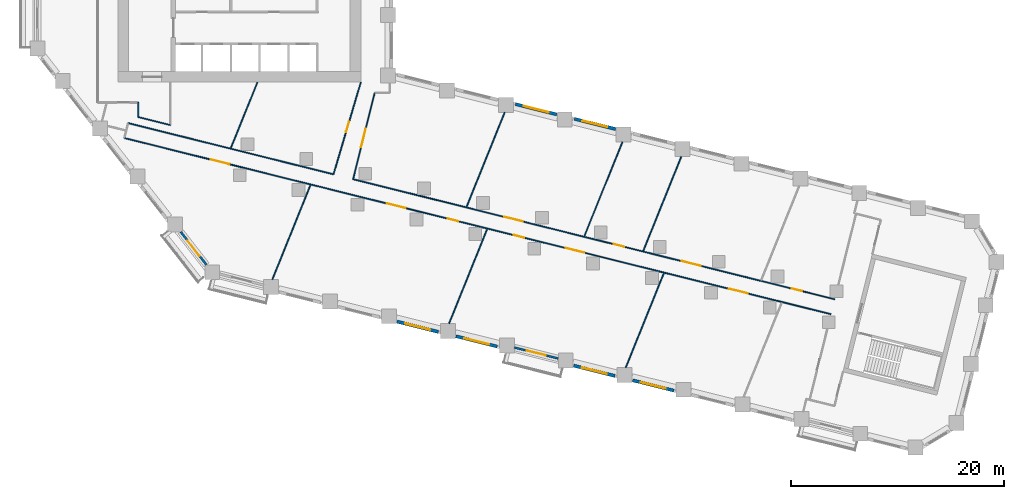
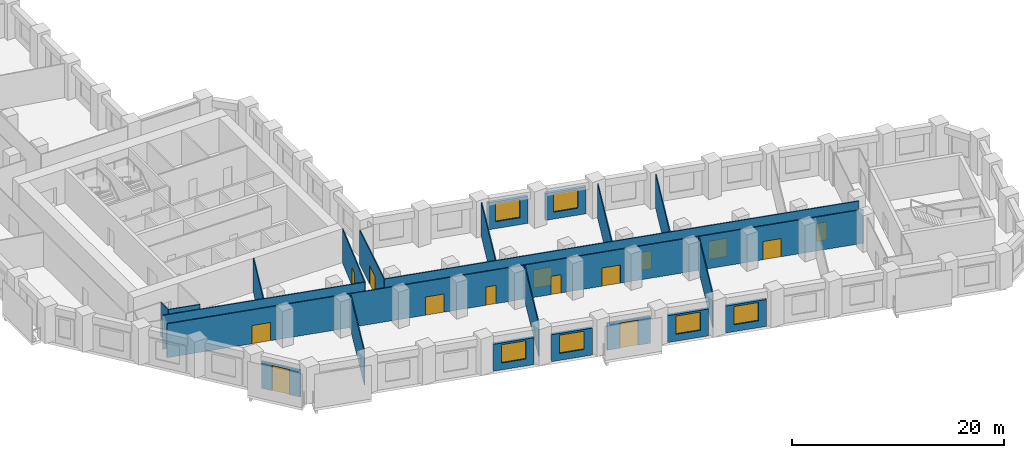
# One storey, part 3 of 11: 22 walls, 14 doors, 6 windows, 20 openings.
"""IFC4 building model written with IfcOpenShell, lengths in metres."""

from ifc_helpers import new_model, si_unit, direction, frame, frame_2d, origin, place, context, subcontext, project, spatial, rectangle, extrude, material, layer, layer_set, type_object, element, fill, save


model = new_model("IFC4")

# Units and contexts
model_context = context("Model", 3, precision=1e-05, world=origin(), true_north=direction((0.0, 1.0)))
body_context = subcontext(model_context, "Body", "Model", "MODEL_VIEW")
ifc_project = project(units=[si_unit("LENGTHUNIT", "METRE"), si_unit("AREAUNIT", "SQUARE_METRE"), si_unit("VOLUMEUNIT", "CUBIC_METRE"), si_unit("PLANEANGLEUNIT", "RADIAN"), si_unit("MASSUNIT", "GRAM", prefix="KILO")], contexts=[model_context])

# Site, building, storey
site_placement = place(None, origin())
site = spatial("IfcSite", under=ifc_project, at=site_placement, CompositionType="ELEMENT")
building_placement = place(site_placement, origin())
building = spatial("IfcBuilding", under=site, at=building_placement, Name="Meshkara Civic Tower", CompositionType="ELEMENT")
storey_placement = place(building_placement, frame((0.0, 0.0, 37.199951171875)))
storey = spatial("IfcBuildingStorey", under=building, at=storey_placement, Name="L07", CompositionType="ELEMENT", Elevation=37.199951171875)

# Wall, openings, doors
ifc_material_1 = material(Name="Corridor wall 100")
ifc_layer_1 = layer(ifc_material_1, 0.10009765625)
ifc_layer_set_1 = layer_set([ifc_layer_1], Name="Corridor wall 100")
wall_type_1 = type_object("IfcWallType", Name="Corridor wall 100", PredefinedType="PARTITIONING", material=ifc_layer_set_1)
wall_1_placement = place(storey_placement, frame((8.593994140625, 8.862060546875, 0.0), z_axis=(0.0, 0.0, 1.0), x_axis=(0.970293746648, -0.241929835316, 0.0)))
wall_1 = element("IfcWall", 1, at=wall_1_placement, inside=storey, type_object=wall_type_1, Name="L07-W006", PredefinedType="PARTITIONING", context=body_context, shape_type="SweptSolid", body=[
    extrude(rectangle(XDim=68.375244140625, YDim=0.10009765625, at=frame_2d((34.1875, 0.0))), origin(), (0.0, 0.0, 1.0), 3.900146484375),
])
opening_1_placement = place(wall_1_placement, frame((37.7080078125, 0.0, 0.0)))
opening_1 = element("IfcOpeningElement", 2, at=opening_1_placement, cuts=wall_1, Name="Opening L07-D003", PredefinedType="OPENING", context=body_context, shape_type="SweptSolid", body=[
    extrude(rectangle(XDim=1.0, YDim=2.10009765625, at=frame_2d((0.5, 1.050048828125))), frame((0.0, 0.06005859375, 0.0), z_axis=(0.0, -1.0, 0.0), x_axis=(1.0, 0.0, 0.0)), (0.0, 0.0, 1.0), 0.1201171875),
])
opening_2_placement = place(wall_1_placement, frame((42.7080078125, 0.0, 0.0)))
opening_2 = element("IfcOpeningElement", 3, at=opening_2_placement, cuts=wall_1, Name="Opening L07-D004", PredefinedType="OPENING", context=body_context, shape_type="SweptSolid", body=[
    extrude(rectangle(XDim=1.800048828125, YDim=2.10009765625, at=frame_2d((0.89990234375, 1.050048828125))), frame((0.0, 0.06005859375, 0.0), z_axis=(0.0, -1.0, 0.0), x_axis=(1.0, 0.0, 0.0)), (0.0, 0.0, 1.0), 0.1201171875),
])
opening_3_placement = place(wall_1_placement, frame((58.508056640625, 0.0, 0.0)))
opening_3 = element("IfcOpeningElement", 4, at=opening_3_placement, cuts=wall_1, Name="Opening L07-D007", PredefinedType="OPENING", context=body_context, shape_type="SweptSolid", body=[
    extrude(rectangle(XDim=1.800048828125, YDim=2.10009765625, at=frame_2d((0.89990234375, 1.050048828125))), frame((0.0, 0.06005859375, 0.0), z_axis=(0.0, -1.0, 0.0), x_axis=(1.0, 0.0, 0.0)), (0.0, 0.0, 1.0), 0.1201171875),
])
opening_4_placement = place(wall_1_placement, frame((25.407958984375, 0.0, 0.0)))
opening_4 = element("IfcOpeningElement", 5, at=opening_4_placement, cuts=wall_1, Name="Opening L07-D010", PredefinedType="OPENING", context=body_context, shape_type="SweptSolid", body=[
    extrude(rectangle(XDim=1.800048828125, YDim=2.10009765625, at=frame_2d((0.89990234375, 1.050048828125))), frame((0.0, 0.06005859375, 0.0), z_axis=(0.0, -1.0, 0.0), x_axis=(1.0, 0.0, 0.0)), (0.0, 0.0, 1.0), 0.1201171875),
])
opening_5_placement = place(wall_1_placement, frame((31.30810546875, 0.0, 0.0)))
opening_5 = element("IfcOpeningElement", 6, at=opening_5_placement, cuts=wall_1, Name="Opening L07-D011", PredefinedType="OPENING", context=body_context, shape_type="SweptSolid", body=[
    extrude(rectangle(XDim=1.0, YDim=2.10009765625, at=frame_2d((0.5, 1.050048828125))), frame((0.0, 0.06005859375, 0.0), z_axis=(0.0, -1.0, 0.0), x_axis=(1.0, 0.0, 0.0)), (0.0, 0.0, 1.0), 0.1201171875),
])
opening_6_placement = place(wall_1_placement, frame((8.3798828125, 0.0, 0.0)))
opening_6 = element("IfcOpeningElement", 7, at=opening_6_placement, cuts=wall_1, Name="Opening L07-D013", PredefinedType="OPENING", context=body_context, shape_type="SweptSolid", body=[
    extrude(rectangle(XDim=1.800048828125, YDim=2.10009765625, at=frame_2d((0.89990234375, 1.050048828125))), frame((0.0, 0.06005859375, 0.0), z_axis=(0.0, -1.0, 0.0), x_axis=(1.0, 0.0, 0.0)), (0.0, 0.0, 1.0), 0.1201171875),
])
ifc_material_2 = material(Name="Door 1000 x 2100")
door_type_1 = type_object("IfcDoorType", Name="Door 1000 x 2100", OperationType="SINGLE_SWING_LEFT", PredefinedType="DOOR", material=ifc_material_2)
door_1_placement = place(opening_1_placement, origin())
door_1 = element("IfcDoor", 8, at=door_1_placement, inside=storey, type_object=door_type_1, Name="L07-D003", OperationType="SINGLE_SWING_RIGHT", OverallHeight=2.10009765625, OverallWidth=1.0, PredefinedType="DOOR", context=body_context, shape_type="SweptSolid", body=[
    extrude(rectangle(XDim=1.0, YDim=2.10009765625, at=frame_2d((0.5, 1.050048828125))), frame((0.0, 0.02490234375, 0.0), z_axis=(0.0, -1.0, 0.0), x_axis=(1.0, 0.0, 0.0)), (0.0, 0.0, 1.0), 0.050048828125),
])
fill(opening_1, door_1)
door_2_placement = place(opening_5_placement, origin())
door_2 = element("IfcDoor", 9, at=door_2_placement, inside=storey, type_object=door_type_1, Name="L07-D011", OperationType="SINGLE_SWING_LEFT", OverallHeight=2.10009765625, OverallWidth=1.0, PredefinedType="DOOR", context=body_context, shape_type="SweptSolid", body=[
    extrude(rectangle(XDim=1.0, YDim=2.10009765625, at=frame_2d((0.5, 1.050048828125))), frame((0.0, 0.02490234375, 0.0), z_axis=(0.0, -1.0, 0.0), x_axis=(1.0, 0.0, 0.0)), (0.0, 0.0, 1.0), 0.050048828125),
])
fill(opening_5, door_2)
ifc_material_3 = material(Name="Door pair 1800 x 2100")
door_type_2 = type_object("IfcDoorType", Name="Door pair 1800 x 2100", OperationType="SINGLE_SWING_LEFT", PredefinedType="DOOR", material=ifc_material_3)
door_3_placement = place(opening_2_placement, origin())
door_3 = element("IfcDoor", 10, at=door_3_placement, inside=storey, type_object=door_type_2, Name="L07-D004", OperationType="DOUBLE_DOOR_SINGLE_SWING", OverallHeight=2.10009765625, OverallWidth=1.800048828125, PredefinedType="DOOR", context=body_context, shape_type="SweptSolid", body=[
    extrude(rectangle(XDim=1.800048828125, YDim=2.10009765625, at=frame_2d((0.89990234375, 1.050048828125))), frame((0.0, 0.02490234375, 0.0), z_axis=(0.0, -1.0, 0.0), x_axis=(1.0, 0.0, 0.0)), (0.0, 0.0, 1.0), 0.050048828125),
])
fill(opening_2, door_3)
door_4_placement = place(opening_3_placement, origin())
door_4 = element("IfcDoor", 11, at=door_4_placement, inside=storey, type_object=door_type_2, Name="L07-D007", OperationType="DOUBLE_DOOR_SINGLE_SWING", OverallHeight=2.10009765625, OverallWidth=1.800048828125, PredefinedType="DOOR", context=body_context, shape_type="SweptSolid", body=[
    extrude(rectangle(XDim=1.800048828125, YDim=2.10009765625, at=frame_2d((0.89990234375, 1.050048828125))), frame((0.0, 0.02490234375, 0.0), z_axis=(0.0, -1.0, 0.0), x_axis=(1.0, 0.0, 0.0)), (0.0, 0.0, 1.0), 0.050048828125),
])
fill(opening_3, door_4)
door_5_placement = place(opening_4_placement, origin())
door_5 = element("IfcDoor", 12, at=door_5_placement, inside=storey, type_object=door_type_2, Name="L07-D010", OperationType="DOUBLE_DOOR_SINGLE_SWING", OverallHeight=2.10009765625, OverallWidth=1.800048828125, PredefinedType="DOOR", context=body_context, shape_type="SweptSolid", body=[
    extrude(rectangle(XDim=1.800048828125, YDim=2.10009765625, at=frame_2d((0.89990234375, 1.050048828125))), frame((0.0, 0.02490234375, 0.0), z_axis=(0.0, -1.0, 0.0), x_axis=(1.0, 0.0, 0.0)), (0.0, 0.0, 1.0), 0.050048828125),
])
fill(opening_4, door_5)
door_6_placement = place(opening_6_placement, origin())
door_6 = element("IfcDoor", 13, at=door_6_placement, inside=storey, type_object=door_type_2, Name="L07-D013", OperationType="DOUBLE_DOOR_SINGLE_SWING", OverallHeight=2.10009765625, OverallWidth=1.800048828125, PredefinedType="DOOR", context=body_context, shape_type="SweptSolid", body=[
    extrude(rectangle(XDim=1.800048828125, YDim=2.10009765625, at=frame_2d((0.89990234375, 1.050048828125))), frame((0.0, 0.02490234375, 0.0), z_axis=(0.0, -1.0, 0.0), x_axis=(1.0, 0.0, 0.0)), (0.0, 0.0, 1.0), 0.050048828125),
])
fill(opening_6, door_6)

# Walls
wall_2_placement = place(storey_placement, frame((8.944091796875, 10.263916015625, 0.0), z_axis=(0.0, 0.0, 1.0), x_axis=(0.970300504447, -0.241902730595, 0.0)))
element("IfcWall", 14, at=wall_2_placement, inside=storey, type_object=wall_type_1, Name="L07-W007", PredefinedType="PARTITIONING", context=body_context, shape_type="SweptSolid", body=[
    extrude(rectangle(XDim=19.879150390625, YDim=0.10009765625, at=frame_2d((9.939453125, 0.0))), origin(), (0.0, 0.0, 1.0), 3.900146484375),
])
wall_3_placement = place(storey_placement, frame((9.89990234375, 10.825927734375, 0.0), z_axis=(0.0, 0.0, 1.0), x_axis=(0.970290953223, -0.241941038466, 0.0)))
element("IfcWall", 15, at=wall_3_placement, inside=storey, type_object=wall_type_1, Name="L07-W009", PredefinedType="PARTITIONING", context=body_context, shape_type="SweptSolid", body=[
    extrude(rectangle(XDim=3.091796875, YDim=0.10009765625, at=frame_2d((1.5458984375, 0.0))), origin(), (0.0, 0.0, 1.0), 3.900146484375),
])
wall_4_placement = place(storey_placement, frame((9.89990234375, 12.199951171875, 0.0), z_axis=(0.0, 0.0, 1.0), x_axis=(0.0, -1.0, 0.0)))
element("IfcWall", 16, at=wall_4_placement, inside=storey, type_object=wall_type_1, Name="L07-W010", PredefinedType="PARTITIONING", context=body_context, shape_type="SweptSolid", body=[
    extrude(rectangle(XDim=1.3740234375, YDim=0.10009765625, at=frame_2d((0.68701171875, 0.0))), origin(), (0.0, 0.0, 1.0), 3.900146484375),
])

# Wall, openings, doors
wall_5_placement = place(storey_placement, frame((30.075927734375, 4.9951171875, 0.0), z_axis=(0.0, 0.0, 1.0), x_axis=(0.97029302478, -0.24193273045, 0.0)))
wall_5 = element("IfcWall", 17, at=wall_5_placement, inside=storey, type_object=wall_type_1, Name="L07-W020", PredefinedType="PARTITIONING", context=body_context, shape_type="SweptSolid", body=[
    extrude(rectangle(XDim=46.596435546875, YDim=0.10009765625, at=frame_2d((23.29833984375, 0.0))), origin(), (0.0, 0.0, 1.0), 3.900146484375),
])
opening_7_placement = place(wall_5_placement, frame((25.22900390625, 0.0, 0.0)))
opening_7 = element("IfcOpeningElement", 18, at=opening_7_placement, cuts=wall_5, Name="Opening L07-D005", PredefinedType="OPENING", context=body_context, shape_type="SweptSolid", body=[
    extrude(rectangle(XDim=1.0, YDim=2.10009765625, at=frame_2d((0.5, 1.050048828125))), frame((0.0, 0.06005859375, 0.0), z_axis=(0.0, -1.0, 0.0), x_axis=(1.0, 0.0, 0.0)), (0.0, 0.0, 1.0), 0.1201171875),
])
opening_8_placement = place(wall_5_placement, frame((31.827880859375, 0.0, 0.0)))
opening_8 = element("IfcOpeningElement", 19, at=opening_8_placement, cuts=wall_5, Name="Opening L07-D006", PredefinedType="OPENING", context=body_context, shape_type="SweptSolid", body=[
    extrude(rectangle(XDim=1.800048828125, YDim=2.10009765625, at=frame_2d((0.89990234375, 1.050048828125))), frame((0.0, 0.06005859375, 0.0), z_axis=(0.0, -1.0, 0.0), x_axis=(1.0, 0.0, 0.0)), (0.0, 0.0, 1.0), 0.1201171875),
])
opening_9_placement = place(wall_5_placement, frame((42.428955078125, 0.0, 0.0)))
opening_9 = element("IfcOpeningElement", 20, at=opening_9_placement, cuts=wall_5, Name="Opening L07-D008", PredefinedType="OPENING", context=body_context, shape_type="SweptSolid", body=[
    extrude(rectangle(XDim=1.0, YDim=2.10009765625, at=frame_2d((0.5, 1.050048828125))), frame((0.0, 0.06005859375, 0.0), z_axis=(0.0, -1.0, 0.0), x_axis=(1.0, 0.0, 0.0)), (0.0, 0.0, 1.0), 0.1201171875),
])
opening_10_placement = place(wall_5_placement, frame((14.62890625, 0.0, 0.0)))
opening_10 = element("IfcOpeningElement", 21, at=opening_10_placement, cuts=wall_5, Name="Opening L07-D012", PredefinedType="OPENING", context=body_context, shape_type="SweptSolid", body=[
    extrude(rectangle(XDim=1.800048828125, YDim=2.10009765625, at=frame_2d((0.89990234375, 1.050048828125))), frame((0.0, 0.06005859375, 0.0), z_axis=(0.0, -1.0, 0.0), x_axis=(1.0, 0.0, 0.0)), (0.0, 0.0, 1.0), 0.1201171875),
])
door_7_placement = place(opening_7_placement, origin())
door_7 = element("IfcDoor", 22, at=door_7_placement, inside=storey, type_object=door_type_1, Name="L07-D005", OperationType="SINGLE_SWING_RIGHT", OverallHeight=2.10009765625, OverallWidth=1.0, PredefinedType="DOOR", context=body_context, shape_type="SweptSolid", body=[
    extrude(rectangle(XDim=1.0, YDim=2.10009765625, at=frame_2d((0.5, 1.050048828125))), frame((0.0, 0.02490234375, 0.0), z_axis=(0.0, -1.0, 0.0), x_axis=(1.0, 0.0, 0.0)), (0.0, 0.0, 1.0), 0.050048828125),
])
fill(opening_7, door_7)
door_8_placement = place(opening_9_placement, origin())
door_8 = element("IfcDoor", 23, at=door_8_placement, inside=storey, type_object=door_type_1, Name="L07-D008", OperationType="SINGLE_SWING_LEFT", OverallHeight=2.10009765625, OverallWidth=1.0, PredefinedType="DOOR", context=body_context, shape_type="SweptSolid", body=[
    extrude(rectangle(XDim=1.0, YDim=2.10009765625, at=frame_2d((0.5, 1.050048828125))), frame((0.0, 0.02490234375, 0.0), z_axis=(0.0, -1.0, 0.0), x_axis=(1.0, 0.0, 0.0)), (0.0, 0.0, 1.0), 0.050048828125),
])
fill(opening_9, door_8)
door_9_placement = place(opening_8_placement, origin())
door_9 = element("IfcDoor", 24, at=door_9_placement, inside=storey, type_object=door_type_2, Name="L07-D006", OperationType="DOUBLE_DOOR_SINGLE_SWING", OverallHeight=2.10009765625, OverallWidth=1.800048828125, PredefinedType="DOOR", context=body_context, shape_type="SweptSolid", body=[
    extrude(rectangle(XDim=1.800048828125, YDim=2.10009765625, at=frame_2d((0.89990234375, 1.050048828125))), frame((0.0, 0.02490234375, 0.0), z_axis=(0.0, -1.0, 0.0), x_axis=(1.0, 0.0, 0.0)), (0.0, 0.0, 1.0), 0.050048828125),
])
fill(opening_8, door_9)
door_10_placement = place(opening_10_placement, origin())
door_10 = element("IfcDoor", 25, at=door_10_placement, inside=storey, type_object=door_type_2, Name="L07-D012", OperationType="DOUBLE_DOOR_SINGLE_SWING", OverallHeight=2.10009765625, OverallWidth=1.800048828125, PredefinedType="DOOR", context=body_context, shape_type="SweptSolid", body=[
    extrude(rectangle(XDim=1.800048828125, YDim=2.10009765625, at=frame_2d((0.89990234375, 1.050048828125))), frame((0.0, 0.02490234375, 0.0), z_axis=(0.0, -1.0, 0.0), x_axis=(1.0, 0.0, 0.0)), (0.0, 0.0, 1.0), 0.050048828125),
])
fill(opening_10, door_10)

# Wall, opening, door
wall_6_placement = place(storey_placement, frame((30.075927734375, 4.9951171875, 0.0), z_axis=(0.0, 0.0, 1.0), x_axis=(0.241944155572, 0.97029017597, 0.0)))
wall_6 = element("IfcWall", 26, at=wall_6_placement, inside=storey, type_object=wall_type_1, Name="L07-W021", PredefinedType="PARTITIONING", context=body_context, shape_type="SweptSolid", body=[
    extrude(rectangle(XDim=8.353271484375, YDim=0.10009765625, at=frame_2d((4.1767578125, 0.0))), origin(), (0.0, 0.0, 1.0), 3.900146484375),
])
opening_11_placement = place(wall_6_placement, frame((3.080078125, 0.0, 0.0)))
opening_11 = element("IfcOpeningElement", 27, at=opening_11_placement, cuts=wall_6, Name="Opening L07-D015", PredefinedType="OPENING", context=body_context, shape_type="SweptSolid", body=[
    extrude(rectangle(XDim=1.800048828125, YDim=2.10009765625, at=frame_2d((0.89990234375, 1.050048828125))), frame((0.0, 0.06005859375, 0.0), z_axis=(0.0, -1.0, 0.0), x_axis=(1.0, 0.0, 0.0)), (0.0, 0.0, 1.0), 0.1201171875),
])
door_11_placement = place(opening_11_placement, origin())
door_11 = element("IfcDoor", 28, at=door_11_placement, inside=storey, type_object=door_type_2, Name="L07-D015", OperationType="DOUBLE_DOOR_SINGLE_SWING", OverallHeight=2.10009765625, OverallWidth=1.800048828125, PredefinedType="DOOR", context=body_context, shape_type="SweptSolid", body=[
    extrude(rectangle(XDim=1.800048828125, YDim=2.10009765625, at=frame_2d((0.89990234375, 1.050048828125))), frame((0.0, 0.02490234375, 0.0), z_axis=(0.0, -1.0, 0.0), x_axis=(1.0, 0.0, 0.0)), (0.0, 0.0, 1.0), 0.050048828125),
])
fill(opening_11, door_11)

wall_7_placement = place(storey_placement, frame((30.800048828125, 14.10009765625, 0.0), z_axis=(0.0, 0.0, 1.0), x_axis=(-0.284664373847, -0.95862724469, 0.0)))
wall_7 = element("IfcWall", 29, at=wall_7_placement, inside=storey, type_object=wall_type_1, Name="L07-W022", PredefinedType="PARTITIONING", context=body_context, shape_type="SweptSolid", body=[
    extrude(rectangle(XDim=9.01806640625, YDim=0.10009765625, at=frame_2d((4.509033203125, 0.0))), origin(), (0.0, 0.0, 1.0), 3.900146484375),
])
opening_12_placement = place(wall_7_placement, frame((3.8798828125, 0.0, 0.0)))
opening_12 = element("IfcOpeningElement", 30, at=opening_12_placement, cuts=wall_7, Name="Opening L07-D014", PredefinedType="OPENING", context=body_context, shape_type="SweptSolid", body=[
    extrude(rectangle(XDim=1.0, YDim=2.10009765625, at=frame_2d((0.5, 1.050048828125))), frame((0.0, 0.06005859375, 0.0), z_axis=(0.0, -1.0, 0.0), x_axis=(1.0, 0.0, 0.0)), (0.0, 0.0, 1.0), 0.1201171875),
])
door_12_placement = place(opening_12_placement, origin())
door_12 = element("IfcDoor", 31, at=door_12_placement, inside=storey, type_object=door_type_1, Name="L07-D014", OperationType="SINGLE_SWING_RIGHT", OverallHeight=2.10009765625, OverallWidth=1.0, PredefinedType="DOOR", context=body_context, shape_type="SweptSolid", body=[
    extrude(rectangle(XDim=1.0, YDim=2.10009765625, at=frame_2d((0.5, 1.050048828125))), frame((0.0, 0.02490234375, 0.0), z_axis=(0.0, -1.0, 0.0), x_axis=(1.0, 0.0, 0.0)), (0.0, 0.0, 1.0), 0.050048828125),
])
fill(opening_12, door_12)

# Wall, opening, window
ifc_material_4 = material(Name="Insulated infill panel with bronze anodised aluminium cladding", Category="aluminium")
ifc_layer_2 = layer(ifc_material_4, 0.300048828125)
ifc_layer_set_2 = layer_set([ifc_layer_2], Name="EXTERNAL INFILL WALL 300")
wall_type_2 = type_object("IfcWallType", Name="EXTERNAL INFILL WALL 300", PredefinedType="SOLIDWALL", material=ifc_layer_set_2)
wall_8_placement = place(storey_placement, frame((54.721923828125, 9.699951171875, 0.0), z_axis=(0.0, 0.0, 1.0), x_axis=(-0.970318045095, 0.24183236211, 0.0)))
wall_8 = element("IfcWall", 32, at=wall_8_placement, inside=storey, type_object=wall_type_2, Name="External wall", PredefinedType="SOLIDWALL", context=body_context, shape_type="SweptSolid", body=[
    extrude(rectangle(XDim=4.0029296875, YDim=0.300048828125, at=frame_2d((2.00146484375, 0.0))), origin(), (0.0, 0.0, 1.0), 3.10009765625),
])
opening_13_placement = place(wall_8_placement, frame((0.802001953125, 0.0, 0.800048828125)))
opening_13 = element("IfcOpeningElement", 33, at=opening_13_placement, cuts=wall_8, Name="Opening W7", PredefinedType="OPENING", context=body_context, shape_type="SweptSolid", body=[
    extrude(rectangle(XDim=2.39990234375, YDim=2.10009765625, at=frame_2d((1.199951171875, 1.050048828125))), frame((0.0, 0.159912109375, 0.0), z_axis=(0.0, -1.0, 0.0), x_axis=(1.0, 0.0, 0.0)), (0.0, 0.0, 1.0), 0.320068359375),
])
ifc_material_5 = material(Name="Tinted double glazing", Category="glass")
window_type = type_object("IfcWindowType", Name="WINDOW 2400x2100", PartitioningType="DOUBLE_PANEL_VERTICAL", PredefinedType="WINDOW", material=ifc_material_5)
window_1_placement = place(opening_13_placement, origin())
window_1 = element("IfcWindow", 34, at=window_1_placement, inside=storey, type_object=window_type, Name="Window", OverallHeight=2.10009765625, OverallWidth=2.39990234375, PartitioningType="DOUBLE_PANEL_VERTICAL", PredefinedType="WINDOW", context=body_context, shape_type="SweptSolid", body=[
    extrude(rectangle(XDim=2.39990234375, YDim=2.10009765625, at=frame_2d((1.199951171875, 1.050048828125))), frame((0.0, 0.030029296875, 0.0), z_axis=(0.0, -1.0, 0.0), x_axis=(1.0, 0.0, 0.0)), (0.0, 0.0, 1.0), 0.06005859375),
])
fill(opening_13, window_1)

wall_9_placement = place(storey_placement, frame((49.19091796875, 11.0791015625, 0.0), z_axis=(0.0, 0.0, 1.0), x_axis=(-0.970318045095, 0.24183236211, 0.0)))
wall_9 = element("IfcWall", 35, at=wall_9_placement, inside=storey, type_object=wall_type_2, Name="External wall", PredefinedType="SOLIDWALL", context=body_context, shape_type="SweptSolid", body=[
    extrude(rectangle(XDim=4.0029296875, YDim=0.300048828125, at=frame_2d((2.00146484375, 0.0))), origin(), (0.0, 0.0, 1.0), 3.10009765625),
])
opening_14_placement = place(wall_9_placement, frame((0.802001953125, 0.0, 0.800048828125)))
opening_14 = element("IfcOpeningElement", 36, at=opening_14_placement, cuts=wall_9, Name="Opening W7", PredefinedType="OPENING", context=body_context, shape_type="SweptSolid", body=[
    extrude(rectangle(XDim=2.39990234375, YDim=2.10009765625, at=frame_2d((1.199951171875, 1.050048828125))), frame((0.0, 0.159912109375, 0.0), z_axis=(0.0, -1.0, 0.0), x_axis=(1.0, 0.0, 0.0)), (0.0, 0.0, 1.0), 0.320068359375),
])
window_2_placement = place(opening_14_placement, origin())
window_2 = element("IfcWindow", 37, at=window_2_placement, inside=storey, type_object=window_type, Name="Window", OverallHeight=2.10009765625, OverallWidth=2.39990234375, PartitioningType="DOUBLE_PANEL_VERTICAL", PredefinedType="WINDOW", context=body_context, shape_type="SweptSolid", body=[
    extrude(rectangle(XDim=2.39990234375, YDim=2.10009765625, at=frame_2d((1.199951171875, 1.050048828125))), frame((0.0, 0.030029296875, 0.0), z_axis=(0.0, -1.0, 0.0), x_axis=(1.0, 0.0, 0.0)), (0.0, 0.0, 1.0), 0.06005859375),
])
fill(opening_14, window_2)

wall_10_placement = place(storey_placement, frame((34.194091796875, -8.37109375, 0.0), z_axis=(0.0, 0.0, 1.0), x_axis=(0.970314477803, -0.241846674911, 0.0)))
wall_10 = element("IfcWall", 38, at=wall_10_placement, inside=storey, type_object=wall_type_2, Name="External wall", PredefinedType="SOLIDWALL", context=body_context, shape_type="SweptSolid", body=[
    extrude(rectangle(XDim=4.002685546875, YDim=0.300048828125, at=frame_2d((2.00146484375, 0.0))), origin(), (0.0, 0.0, 1.0), 3.10009765625),
])
opening_15_placement = place(wall_10_placement, frame((0.802001953125, 0.0, 0.800048828125)))
opening_15 = element("IfcOpeningElement", 39, at=opening_15_placement, cuts=wall_10, Name="Opening W7", PredefinedType="OPENING", context=body_context, shape_type="SweptSolid", body=[
    extrude(rectangle(XDim=2.39990234375, YDim=2.10009765625, at=frame_2d((1.199951171875, 1.050048828125))), frame((0.0, 0.159912109375, 0.0), z_axis=(0.0, -1.0, 0.0), x_axis=(1.0, 0.0, 0.0)), (0.0, 0.0, 1.0), 0.320068359375),
])
window_3_placement = place(opening_15_placement, origin())
window_3 = element("IfcWindow", 40, at=window_3_placement, inside=storey, type_object=window_type, Name="Window", OverallHeight=2.10009765625, OverallWidth=2.39990234375, PartitioningType="DOUBLE_PANEL_VERTICAL", PredefinedType="WINDOW", context=body_context, shape_type="SweptSolid", body=[
    extrude(rectangle(XDim=2.39990234375, YDim=2.10009765625, at=frame_2d((1.199951171875, 1.050048828125))), frame((0.0, 0.030029296875, 0.0), z_axis=(0.0, -1.0, 0.0), x_axis=(1.0, 0.0, 0.0)), (0.0, 0.0, 1.0), 0.06005859375),
])
fill(opening_15, window_3)

wall_11_placement = place(storey_placement, frame((39.72509765625, -9.75, 0.0), z_axis=(0.0, 0.0, 1.0), x_axis=(0.970314477803, -0.241846674911, 0.0)))
wall_11 = element("IfcWall", 41, at=wall_11_placement, inside=storey, type_object=wall_type_2, Name="External wall", PredefinedType="SOLIDWALL", context=body_context, shape_type="SweptSolid", body=[
    extrude(rectangle(XDim=4.002685546875, YDim=0.300048828125, at=frame_2d((2.00146484375, 0.0))), origin(), (0.0, 0.0, 1.0), 3.10009765625),
])
opening_16_placement = place(wall_11_placement, frame((0.801025390625, 0.0, 0.800048828125)))
opening_16 = element("IfcOpeningElement", 42, at=opening_16_placement, cuts=wall_11, Name="Opening W7", PredefinedType="OPENING", context=body_context, shape_type="SweptSolid", body=[
    extrude(rectangle(XDim=2.39990234375, YDim=2.10009765625, at=frame_2d((1.199951171875, 1.050048828125))), frame((0.0, 0.159912109375, 0.0), z_axis=(0.0, -1.0, 0.0), x_axis=(1.0, 0.0, 0.0)), (0.0, 0.0, 1.0), 0.320068359375),
])
window_4_placement = place(opening_16_placement, origin())
window_4 = element("IfcWindow", 43, at=window_4_placement, inside=storey, type_object=window_type, Name="Window", OverallHeight=2.10009765625, OverallWidth=2.39990234375, PartitioningType="DOUBLE_PANEL_VERTICAL", PredefinedType="WINDOW", context=body_context, shape_type="SweptSolid", body=[
    extrude(rectangle(XDim=2.39990234375, YDim=2.10009765625, at=frame_2d((1.199951171875, 1.050048828125))), frame((0.0, 0.030029296875, 0.0), z_axis=(0.0, -1.0, 0.0), x_axis=(1.0, 0.0, 0.0)), (0.0, 0.0, 1.0), 0.06005859375),
])
fill(opening_16, window_4)

wall_12_placement = place(storey_placement, frame((50.785888671875, -12.508056640625, 0.0), z_axis=(0.0, 0.0, 1.0), x_axis=(0.970318045095, -0.24183236211, 0.0)))
wall_12 = element("IfcWall", 44, at=wall_12_placement, inside=storey, type_object=wall_type_2, Name="External wall", PredefinedType="SOLIDWALL", context=body_context, shape_type="SweptSolid", body=[
    extrude(rectangle(XDim=4.0029296875, YDim=0.300048828125, at=frame_2d((2.00146484375, 0.0))), origin(), (0.0, 0.0, 1.0), 3.10009765625),
])
opening_17_placement = place(wall_12_placement, frame((0.802001953125, 0.0, 0.800048828125)))
opening_17 = element("IfcOpeningElement", 45, at=opening_17_placement, cuts=wall_12, Name="Opening W7", PredefinedType="OPENING", context=body_context, shape_type="SweptSolid", body=[
    extrude(rectangle(XDim=2.39990234375, YDim=2.10009765625, at=frame_2d((1.199951171875, 1.050048828125))), frame((0.0, 0.159912109375, 0.0), z_axis=(0.0, -1.0, 0.0), x_axis=(1.0, 0.0, 0.0)), (0.0, 0.0, 1.0), 0.320068359375),
])
window_5_placement = place(opening_17_placement, origin())
window_5 = element("IfcWindow", 46, at=window_5_placement, inside=storey, type_object=window_type, Name="Window", OverallHeight=2.10009765625, OverallWidth=2.39990234375, PartitioningType="DOUBLE_PANEL_VERTICAL", PredefinedType="WINDOW", context=body_context, shape_type="SweptSolid", body=[
    extrude(rectangle(XDim=2.39990234375, YDim=2.10009765625, at=frame_2d((1.199951171875, 1.050048828125))), frame((0.0, 0.030029296875, 0.0), z_axis=(0.0, -1.0, 0.0), x_axis=(1.0, 0.0, 0.0)), (0.0, 0.0, 1.0), 0.06005859375),
])
fill(opening_17, window_5)

wall_13_placement = place(storey_placement, frame((56.31689453125, -13.886962890625, 0.0), z_axis=(0.0, 0.0, 1.0), x_axis=(0.970318045095, -0.24183236211, 0.0)))
wall_13 = element("IfcWall", 47, at=wall_13_placement, inside=storey, type_object=wall_type_2, Name="External wall", PredefinedType="SOLIDWALL", context=body_context, shape_type="SweptSolid", body=[
    extrude(rectangle(XDim=4.0029296875, YDim=0.300048828125, at=frame_2d((2.00146484375, 0.0))), origin(), (0.0, 0.0, 1.0), 3.10009765625),
])
opening_18_placement = place(wall_13_placement, frame((0.802001953125, 0.0, 0.800048828125)))
opening_18 = element("IfcOpeningElement", 48, at=opening_18_placement, cuts=wall_13, Name="Opening W7", PredefinedType="OPENING", context=body_context, shape_type="SweptSolid", body=[
    extrude(rectangle(XDim=2.39990234375, YDim=2.10009765625, at=frame_2d((1.199951171875, 1.050048828125))), frame((0.0, 0.159912109375, 0.0), z_axis=(0.0, -1.0, 0.0), x_axis=(1.0, 0.0, 0.0)), (0.0, 0.0, 1.0), 0.320068359375),
])
window_6_placement = place(opening_18_placement, origin())
window_6 = element("IfcWindow", 49, at=window_6_placement, inside=storey, type_object=window_type, Name="Window", OverallHeight=2.10009765625, OverallWidth=2.39990234375, PartitioningType="DOUBLE_PANEL_VERTICAL", PredefinedType="WINDOW", context=body_context, shape_type="SweptSolid", body=[
    extrude(rectangle(XDim=2.39990234375, YDim=2.10009765625, at=frame_2d((1.199951171875, 1.050048828125))), frame((0.0, 0.030029296875, 0.0), z_axis=(0.0, -1.0, 0.0), x_axis=(1.0, 0.0, 0.0)), (0.0, 0.0, 1.0), 0.06005859375),
])
fill(opening_18, window_6)

# Wall, opening, door
ifc_material_6 = material(Name="Insulated infill panel with bronze anodised aluminium cladding", Category="aluminium")
ifc_layer_3 = layer(ifc_material_6, 0.199951171875)
ifc_layer_set_3 = layer_set([ifc_layer_3], Name="LOGGIA BACK WALL 200")
wall_type_3 = type_object("IfcWallType", Name="LOGGIA BACK WALL 200", PredefinedType="SOLIDWALL", material=ifc_layer_set_3)
wall_14_placement = place(storey_placement, frame((13.888916015625, 0.053955078125, 0.0), z_axis=(0.0, 0.0, 1.0), x_axis=(0.615546225508, -0.788100783062, 0.0)))
wall_14 = element("IfcWall", 50, at=wall_14_placement, inside=storey, type_object=wall_type_3, Name="Loggia wall", PredefinedType="SOLIDWALL", context=body_context, shape_type="SweptSolid", body=[
    extrude(rectangle(XDim=3.92333984375, YDim=0.199951171875, at=frame_2d((1.961669921875, 0.0))), origin(), (0.0, 0.0, 1.0), 3.10009765625),
])
opening_19_placement = place(wall_14_placement, frame((1.06103515625, 0.0, 0.0)))
opening_19 = element("IfcOpeningElement", 51, at=opening_19_placement, cuts=wall_14, Name="Opening L07-L003", PredefinedType="OPENING", context=body_context, shape_type="SweptSolid", body=[
    extrude(rectangle(XDim=1.800048828125, YDim=2.89990234375, at=frame_2d((0.89990234375, 1.449951171875))), frame((0.0, 0.10986328125, 0.0), z_axis=(0.0, -1.0, 0.0), x_axis=(1.0, 0.0, 0.0)), (0.0, 0.0, 1.0), 0.219970703125),
])
ifc_material_7 = material(Name="Tinted double glazing", Category="glass")
door_type_3 = type_object("IfcDoorType", Name="LOGGIA DOOR 1800x2900", OperationType="DOUBLE_DOOR_SINGLE_SWING", PredefinedType="DOOR", material=ifc_material_7)
door_13_placement = place(opening_19_placement, origin())
door_13 = element("IfcDoor", 52, at=door_13_placement, inside=storey, type_object=door_type_3, Name="L07-L003", OperationType="DOUBLE_DOOR_SINGLE_SWING", OverallHeight=2.89990234375, OverallWidth=1.800048828125, PredefinedType="DOOR", context=body_context, shape_type="SweptSolid", body=[
    extrude(rectangle(XDim=1.800048828125, YDim=2.89990234375, at=frame_2d((0.89990234375, 1.449951171875))), frame((0.0, 0.02490234375, 0.0), z_axis=(0.0, -1.0, 0.0), x_axis=(1.0, 0.0, 0.0)), (0.0, 0.0, 1.0), 0.050048828125),
])
fill(opening_19, door_13)

wall_15_placement = place(storey_placement, frame((45.205078125, -10.806884765625, 0.0), z_axis=(0.0, 0.0, 1.0), x_axis=(0.970277311249, -0.241995742265, 0.0)))
wall_15 = element("IfcWall", 53, at=wall_15_placement, inside=storey, type_object=wall_type_3, Name="Loggia wall", PredefinedType="SOLIDWALL", context=body_context, shape_type="SweptSolid", body=[
    extrude(rectangle(XDim=4.25634765625, YDim=0.199951171875, at=frame_2d((2.128173828125, 0.0))), origin(), (0.0, 0.0, 1.0), 3.10009765625),
])
opening_20_placement = place(wall_15_placement, frame((1.22802734375, 0.0, 0.0)))
opening_20 = element("IfcOpeningElement", 54, at=opening_20_placement, cuts=wall_15, Name="Opening L07-L005", PredefinedType="OPENING", context=body_context, shape_type="SweptSolid", body=[
    extrude(rectangle(XDim=1.800048828125, YDim=2.89990234375, at=frame_2d((0.89990234375, 1.449951171875))), frame((0.0, 0.10986328125, 0.0), z_axis=(0.0, -1.0, 0.0), x_axis=(1.0, 0.0, 0.0)), (0.0, 0.0, 1.0), 0.219970703125),
])
door_14_placement = place(opening_20_placement, origin())
door_14 = element("IfcDoor", 55, at=door_14_placement, inside=storey, type_object=door_type_3, Name="L07-L005", OperationType="DOUBLE_DOOR_SINGLE_SWING", OverallHeight=2.89990234375, OverallWidth=1.800048828125, PredefinedType="DOOR", context=body_context, shape_type="SweptSolid", body=[
    extrude(rectangle(XDim=1.800048828125, YDim=2.89990234375, at=frame_2d((0.89990234375, 1.449951171875))), frame((0.0, 0.02490234375, 0.0), z_axis=(0.0, -1.0, 0.0), x_axis=(1.0, 0.0, 0.0)), (0.0, 0.0, 1.0), 0.050048828125),
])
fill(opening_20, door_14)

# Walls
ifc_material_8 = material(Name="Partition 100")
ifc_layer_4 = layer(ifc_material_8, 0.10009765625)
ifc_layer_set_4 = layer_set([ifc_layer_4], Name="Partition 100")
wall_type_4 = type_object("IfcWallType", Name="Partition 100", PredefinedType="PARTITIONING", material=ifc_layer_set_4)
wall_16_placement = place(storey_placement, frame((18.59912109375, 7.9150390625, 0.0), z_axis=(0.0, 0.0, 1.0), x_axis=(0.374461839275, 0.927242325892, 0.0)))
element("IfcWall", 56, at=wall_16_placement, inside=storey, type_object=wall_type_4, Name="L07-W042", PredefinedType="PARTITIONING", context=body_context, shape_type="SweptSolid", body=[
    extrude(rectangle(XDim=6.67041015625, YDim=0.10009765625, at=frame_2d((3.335205078125, 0.0))), origin(), (0.0, 0.0, 1.0), 3.900146484375),
])
for number, where, z_axis, x_axis, name in (
    (57, (22.492919921875, -4.4169921875, 0.0), (0.0, 0.0, 1.0), (0.374480366096, 0.92723484372, 0.0), "L07-W047"),
    (58, (39.0849609375, -8.553955078125, 0.0), (0.0, 0.0, 1.0), (0.374480366096, 0.92723484372, 0.0), "L07-W048"),
    (59, (40.721923828125, 2.39892578125, 0.0), (0.0, 0.0, 1.0), (0.374480366096, 0.92723484372, 0.0), "L07-W049"),
    (60, (51.782958984375, -0.35888671875, 0.0), (0.0, 0.0, 1.0), (0.374577080992, 0.927195777814, 0.0), "L07-W050"),
):
    element("IfcWall", number, at=place(storey_placement, frame(where, z_axis=z_axis, x_axis=x_axis)), inside=storey, type_object=wall_type_4, Name=name, PredefinedType="PARTITIONING", context=body_context, shape_type="SweptSolid", body=[
        extrude(rectangle(XDim=9.5576171875, YDim=0.10009765625, at=frame_2d((4.77880859375, 0.0))), origin(), (0.0, 0.0, 1.0), 3.900146484375),
    ])
wall_17_placement = place(storey_placement, frame((55.676025390625, -12.68994140625, 0.0), z_axis=(0.0, 0.0, 1.0), x_axis=(0.374612570435, 0.927181439672, 0.0)))
element("IfcWall", 61, at=wall_17_placement, inside=storey, type_object=wall_type_4, Name="L07-W051", PredefinedType="PARTITIONING", context=body_context, shape_type="SweptSolid", body=[
    extrude(rectangle(XDim=9.556640625, YDim=0.10009765625, at=frame_2d((4.7783203125, 0.0))), origin(), (0.0, 0.0, 1.0), 3.900146484375),
])
wall_18_placement = place(storey_placement, frame((57.31298828125, -1.738037109375, 0.0), z_axis=(0.0, 0.0, 1.0), x_axis=(0.374568209597, 0.927199361712, 0.0)))
element("IfcWall", 62, at=wall_18_placement, inside=storey, type_object=wall_type_4, Name="L07-W052", PredefinedType="PARTITIONING", context=body_context, shape_type="SweptSolid", body=[
    extrude(rectangle(XDim=9.557861328125, YDim=0.10009765625, at=frame_2d((4.77880859375, 0.0))), origin(), (0.0, 0.0, 1.0), 3.900146484375),
])

save(model, "model.ifc")
